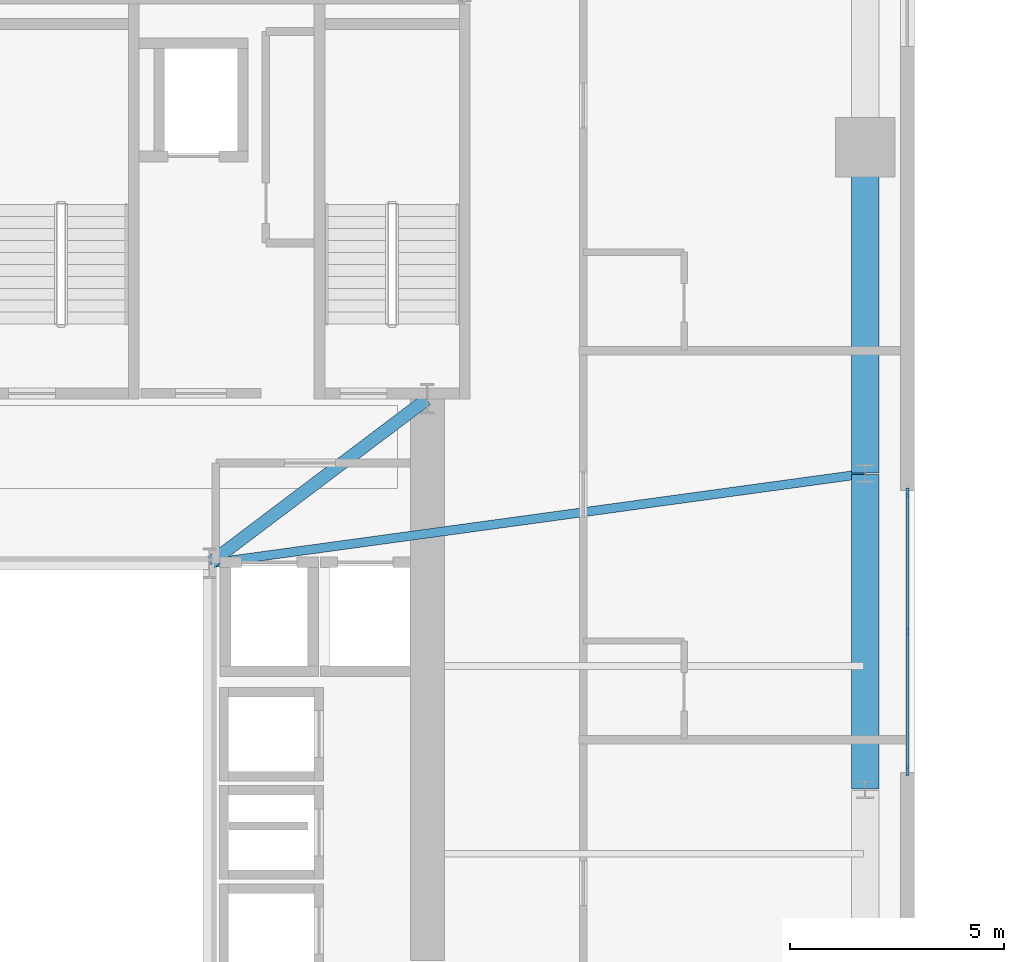
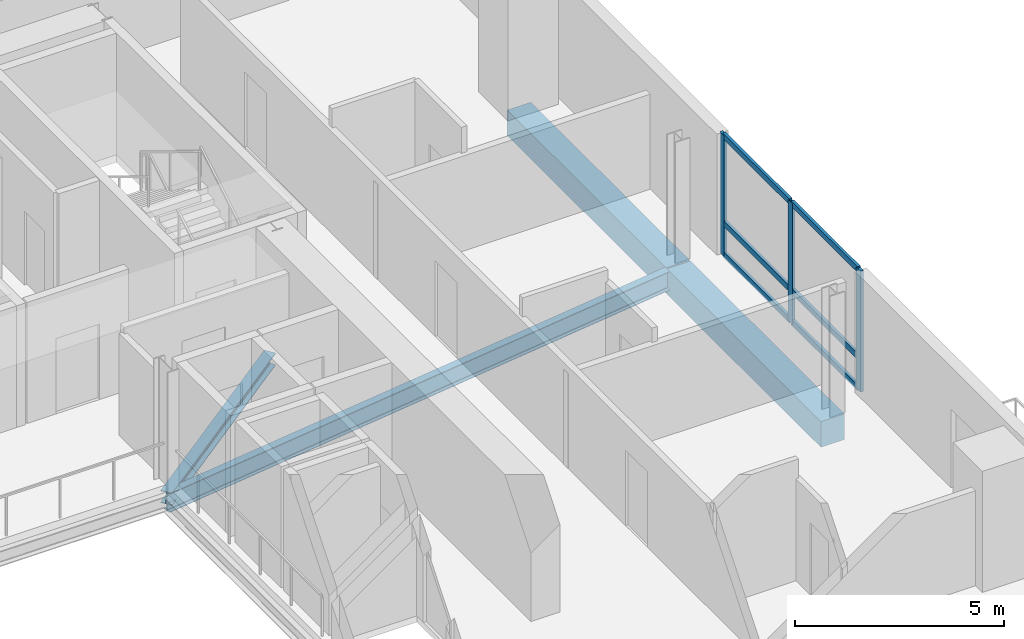
# One storey, part 5 of 16: 9 members, 4 beams, 1 element without a shape of its own.
"""IFC4 building model written with IfcOpenShell, lengths in metres."""

from ifc_helpers import new_model, si_unit, direction, frame, origin, origin_2d, place, context, subcontext, project, spatial, rectangle, i_section, extrude, source, transform, mapped, material, material_profile, profile_set, type_object, element, aggregate, save


model = new_model("IFC4")

# Units and contexts
model_context = context("Model", 3, precision=1e-05, world=origin(), true_north=direction((0.0, 1.0)))
body_context = subcontext(model_context, "Body", "Model", "MODEL_VIEW")
ifc_project = project(units=[si_unit("LENGTHUNIT", "METRE"), si_unit("AREAUNIT", "SQUARE_METRE"), si_unit("VOLUMEUNIT", "CUBIC_METRE"), si_unit("PLANEANGLEUNIT", "RADIAN"), si_unit("MASSUNIT", "GRAM", prefix="KILO")], contexts=[model_context])

# Site, building, storey
site_placement = place(None, origin())
site = spatial("IfcSite", under=ifc_project, at=site_placement, CompositionType="ELEMENT")
building_placement = place(site_placement, origin())
building = spatial("IfcBuilding", under=site, at=building_placement, Name="Vardaveli Station Tower", CompositionType="ELEMENT")
storey_placement = place(building_placement, frame((0.0, 0.0, 192.300048828125)))
storey = spatial("IfcBuildingStorey", under=building, at=storey_placement, Name="L49", CompositionType="ELEMENT", Elevation=192.300048828125)

# Beams
ifc_material_1 = material(Name="Structural steel S355J2", Category="steel")
ifc_material_profile_1 = material_profile(ifc_material_1, i_section(OverallWidth=0.300048828125, OverallDepth=0.360107421875, WebThickness=0.012451171875, FlangeThickness=0.0224609375, FilletRadius=0.027099609375, at=origin_2d()), Name="HEB 360")
ifc_profile_set_1 = profile_set([ifc_material_profile_1], Name="Structural steel S355J2")
beam_type_1 = type_object("IfcBeamType", Name="BM-HEB360", PredefinedType="BEAM", material=ifc_profile_set_1)
shared_shape_1 = source(origin(), body_context, "Body", "SweptSolid", [
    extrude(i_section(OverallWidth=0.300048828125, OverallDepth=0.360107421875, WebThickness=0.012451171875, FlangeThickness=0.0224609375, FilletRadius=0.027099609375, at=origin_2d()), origin(), (0.0, 0.0, 1.0), 6.35009765625),
])
beam_1_placement = place(storey_placement, frame((41.416015625, 26.81201171875, -0.400146484375), z_axis=(0.798118337722, 0.602500721154, 0.0), x_axis=(-0.602500721154, 0.798118337722, 0.0)))
element("IfcBeam", 1, at=beam_1_placement, inside=storey, type_object=beam_type_1, Name="CBM-L49-02", PredefinedType="BEAM", context=body_context, shape_type="MappedRepresentation", body=[
    mapped(shared_shape_1, transform((0.0, 0.0, 0.0), scale=1.0)),
])
ifc_material_2 = material(Name="Precast concrete C45/55", Category="concrete")
ifc_material_profile_2 = material_profile(ifc_material_2, rectangle(XDim=0.64990234375, YDim=0.75, at=origin_2d()), Name="LPB 650x750")
ifc_profile_set_2 = profile_set([ifc_material_profile_2], Name="Precast concrete C45/55")
beam_type_2 = type_object("IfcBeamType", Name="BM-LPB-750", PredefinedType="BEAM", material=ifc_profile_set_2)
shared_shape_2 = source(origin(), body_context, "Body", "SweptSolid", [
    extrude(rectangle(XDim=0.64990234375, YDim=0.75, at=origin_2d()), origin(), (0.0, 0.0, 1.0), 7.60009765625),
])
beam_2_placement = place(storey_placement, frame((56.75, 28.919921875, -0.594970703125), z_axis=(0.0, 1.0, 0.0), x_axis=(-1.0, 0.0, 0.0)))
element("IfcBeam", 2, at=beam_2_placement, inside=storey, type_object=beam_type_2, Name="RBM-L49-09", PredefinedType="BEAM", context=body_context, shape_type="MappedRepresentation", body=[
    mapped(shared_shape_2, transform((0.0, 0.0, 0.0), scale=1.0)),
])
shared_shape_3 = source(origin(), body_context, "Body", "SweptSolid", [
    extrude(rectangle(XDim=0.64990234375, YDim=0.75, at=origin_2d()), origin(), (0.0, 0.0, 1.0), 7.35986328125),
])
beam_3_placement = place(storey_placement, frame((56.75, 21.52001953125, -0.594970703125), z_axis=(0.0, 1.0, 0.0), x_axis=(-1.0, 0.0, 0.0)))
element("IfcBeam", 3, at=beam_3_placement, inside=storey, type_object=beam_type_2, Name="RBM-L49-08", PredefinedType="BEAM", context=body_context, shape_type="MappedRepresentation", body=[
    mapped(shared_shape_3, transform((0.0, 0.0, 0.0), scale=1.0)),
])
ifc_material_profile_3 = material_profile(ifc_material_1, i_section(OverallWidth=0.2099609375, OverallDepth=0.550048828125, WebThickness=0.010986328125, FlangeThickness=0.01708984375, FilletRadius=0.02392578125, at=origin_2d()), Name="IPE 550")
ifc_profile_set_3 = profile_set([ifc_material_profile_3], Name="Structural steel S355J2")
beam_type_3 = type_object("IfcBeamType", Name="BM-IPE550", PredefinedType="BEAM", material=ifc_profile_set_3)
shared_shape_4 = source(origin(), body_context, "Body", "SweptSolid", [
    extrude(i_section(OverallWidth=0.2099609375, OverallDepth=0.550048828125, WebThickness=0.010986328125, FlangeThickness=0.01708984375, FilletRadius=0.02392578125, at=origin_2d()), origin(), (0.0, 0.0, 1.0), 15.452880859375),
])
beam_4_placement = place(storey_placement, frame((56.730224609375, 28.897216796875, -0.4951171875), z_axis=(-0.99077191151, -0.135539733521, 0.0), x_axis=(0.135539733521, -0.99077191151, 0.0)))
element("IfcBeam", 4, at=beam_4_placement, inside=storey, type_object=beam_type_3, Name="GBM-L49-07", PredefinedType="BEAM", context=body_context, shape_type="MappedRepresentation", body=[
    mapped(shared_shape_4, transform((0.0, 0.0, 0.0), scale=1.0)),
])

# Curtain wall, members
ifc_material_3 = material(Name="Travertine stone and solar-control glass", Category="masonry")
curtain_wall_type = type_object("IfcCurtainWallType", Name="CW-SYS-5", PredefinedType="NOTDEFINED", material=ifc_material_3)
curtain_wall_placement = place(storey_placement, origin())
curtain_wall = element("IfcCurtainWall", 5, at=curtain_wall_placement, inside=storey, type_object=curtain_wall_type, Name="CW-L49-E", PredefinedType="NOTDEFINED")
ifc_material_4 = material(Name="Anodised aluminium alloy 6063-T6", Category="aluminium")
ifc_material_profile_4 = material_profile(ifc_material_4, rectangle(XDim=0.080078125, YDim=0.1650390625, at=origin_2d()), Name="CWT 80x165")
ifc_profile_set_4 = profile_set([ifc_material_profile_4], Name="Anodised aluminium alloy 6063-T6")
member_type_1 = type_object("IfcMemberType", Name="CW-SYS-5-TRAN", PredefinedType="NOTDEFINED", material=ifc_profile_set_4)
shared_shape_5 = source(origin(), body_context, "Body", "SweptSolid", [
    extrude(rectangle(XDim=0.080078125, YDim=0.1650390625, at=origin_2d()), origin(), (0.0, 0.0, 1.0), 3.179931640625),
])
member_1_placement = place(storey_placement, frame((57.739990234375, 21.97998046875, 0.0400390625), z_axis=(0.0, 1.0, 0.0), x_axis=(-1.0, 0.0, 0.0)))
member_1 = element("IfcMember", 6, at=member_1_placement, type_object=member_type_1, Name="CW-5 transom 1.1", ObjectType="TRANSOM", PredefinedType="USERDEFINED", context=body_context, shape_type="MappedRepresentation", body=[
    mapped(shared_shape_5, transform((0.0, 0.0, 0.0), scale=1.0)),
])
member_2_placement = place(storey_placement, frame((57.739990234375, 21.97998046875, 0.949951171875), z_axis=(0.0, 1.0, 0.0), x_axis=(-1.0, 0.0, 0.0)))
member_2 = element("IfcMember", 7, at=member_2_placement, type_object=member_type_1, Name="CW-5 transom 1.2", ObjectType="TRANSOM", PredefinedType="USERDEFINED", context=body_context, shape_type="MappedRepresentation", body=[
    mapped(shared_shape_5, transform((0.0, 0.0, 0.0), scale=1.0)),
])
member_3_placement = place(storey_placement, frame((57.739990234375, 21.97998046875, 3.489990234375), z_axis=(0.0, 1.0, 0.0), x_axis=(-1.0, 0.0, 0.0)))
member_3 = element("IfcMember", 8, at=member_3_placement, type_object=member_type_1, Name="CW-5 transom 1.3", ObjectType="TRANSOM", PredefinedType="USERDEFINED", context=body_context, shape_type="MappedRepresentation", body=[
    mapped(shared_shape_5, transform((0.0, 0.0, 0.0), scale=1.0)),
])
member_4_placement = place(storey_placement, frame((57.739990234375, 25.239990234375, 0.0400390625), z_axis=(0.0, 1.0, 0.0), x_axis=(-1.0, 0.0, 0.0)))
member_4 = element("IfcMember", 9, at=member_4_placement, type_object=member_type_1, Name="CW-5 transom 2.1", ObjectType="TRANSOM", PredefinedType="USERDEFINED", context=body_context, shape_type="MappedRepresentation", body=[
    mapped(shared_shape_5, transform((0.0, 0.0, 0.0), scale=1.0)),
])
member_5_placement = place(storey_placement, frame((57.739990234375, 25.239990234375, 0.949951171875), z_axis=(0.0, 1.0, 0.0), x_axis=(-1.0, 0.0, 0.0)))
member_5 = element("IfcMember", 10, at=member_5_placement, type_object=member_type_1, Name="CW-5 transom 2.2", ObjectType="TRANSOM", PredefinedType="USERDEFINED", context=body_context, shape_type="MappedRepresentation", body=[
    mapped(shared_shape_5, transform((0.0, 0.0, 0.0), scale=1.0)),
])
member_6_placement = place(storey_placement, frame((57.739990234375, 25.239990234375, 3.489990234375), z_axis=(0.0, 1.0, 0.0), x_axis=(-1.0, 0.0, 0.0)))
member_6 = element("IfcMember", 11, at=member_6_placement, type_object=member_type_1, Name="CW-5 transom 2.3", ObjectType="TRANSOM", PredefinedType="USERDEFINED", context=body_context, shape_type="MappedRepresentation", body=[
    mapped(shared_shape_5, transform((0.0, 0.0, 0.0), scale=1.0)),
])
ifc_material_profile_5 = material_profile(ifc_material_4, rectangle(XDim=0.080078125, YDim=0.205078125, at=origin_2d()), Name="CWM 80x205")
ifc_profile_set_5 = profile_set([ifc_material_profile_5], Name="Anodised aluminium alloy 6063-T6")
member_type_2 = type_object("IfcMemberType", Name="CW-SYS-5-MULL", PredefinedType="MULLION", material=ifc_profile_set_5)
shared_shape_6 = source(origin(), body_context, "Body", "SweptSolid", [
    extrude(rectangle(XDim=0.080078125, YDim=0.205078125, at=origin_2d()), origin(), (0.0, 0.0, 1.0), 3.530029296875),
])
member_7_placement = place(storey_placement, frame((57.739990234375, 21.93994140625, 0.0), z_axis=(0.0, 0.0, 1.0), x_axis=(-1.0, 0.0, 0.0)))
member_7 = element("IfcMember", 12, at=member_7_placement, type_object=member_type_2, Name="CW-5 mullion 1", PredefinedType="MULLION", context=body_context, shape_type="MappedRepresentation", body=[
    mapped(shared_shape_6, transform((0.0, 0.0, 0.0), scale=1.0)),
])
member_8_placement = place(storey_placement, frame((57.739990234375, 25.199951171875, 0.0), z_axis=(0.0, 0.0, 1.0), x_axis=(-1.0, 0.0, 0.0)))
member_8 = element("IfcMember", 13, at=member_8_placement, type_object=member_type_2, Name="CW-5 mullion 2", PredefinedType="MULLION", context=body_context, shape_type="MappedRepresentation", body=[
    mapped(shared_shape_6, transform((0.0, 0.0, 0.0), scale=1.0)),
])
member_9_placement = place(storey_placement, frame((57.739990234375, 28.4599609375, 0.0), z_axis=(0.0, 0.0, 1.0), x_axis=(-1.0, 0.0, 0.0)))
member_9 = element("IfcMember", 14, at=member_9_placement, type_object=member_type_2, Name="CW-5 mullion 3", PredefinedType="MULLION", context=body_context, shape_type="MappedRepresentation", body=[
    mapped(shared_shape_6, transform((0.0, 0.0, 0.0), scale=1.0)),
])
aggregate(curtain_wall, [member_7, member_8, member_9, member_1, member_2, member_3, member_4, member_5, member_6])

save(model, "model.ifc")
